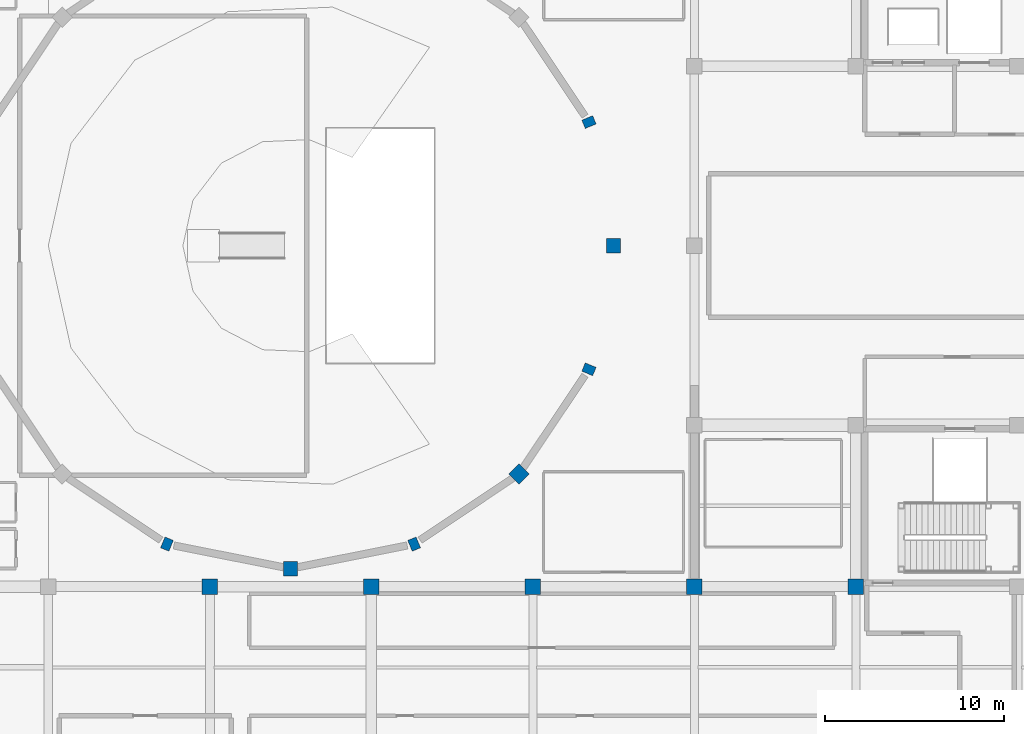
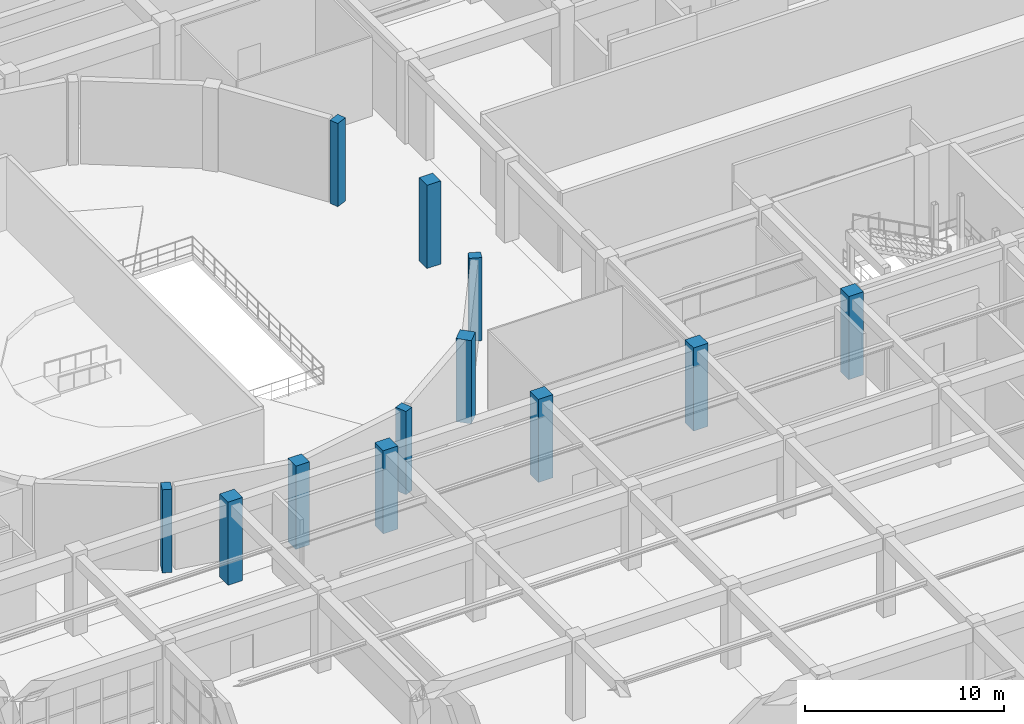
# One storey, part 6 of 128: 12 columns.
"""IFC4 building model written with IfcOpenShell, lengths in metres."""

from ifc_helpers import new_model, si_unit, direction, frame, origin, origin_2d, place, context, subcontext, project, spatial, rectangle, extrude, material, material_profile, profile_set, type_object, element, save


model = new_model("IFC4")

# Units and contexts
model_context = context("Model", 3, precision=1e-05, world=origin(), true_north=direction((0.0, 1.0)))
body_context = subcontext(model_context, "Body", "Model", "MODEL_VIEW")
ifc_project = project(units=[si_unit("LENGTHUNIT", "METRE"), si_unit("AREAUNIT", "SQUARE_METRE"), si_unit("VOLUMEUNIT", "CUBIC_METRE"), si_unit("PLANEANGLEUNIT", "RADIAN"), si_unit("MASSUNIT", "GRAM", prefix="KILO")], contexts=[model_context])

# Site, building, storey
site_placement = place(None, origin())
site = spatial("IfcSite", under=ifc_project, at=site_placement, CompositionType="ELEMENT")
building_placement = place(site_placement, origin())
building = spatial("IfcBuilding", under=site, at=building_placement, Name="Miravela Opera House", CompositionType="ELEMENT")
storey_placement = place(building_placement, origin())
storey = spatial("IfcBuildingStorey", under=building, at=storey_placement, Name="L00", CompositionType="ELEMENT", Elevation=0.0)

# Columns
ifc_material_1 = material(Name="Concrete C40/50", Category="concrete")
ifc_material_profile_1 = material_profile(ifc_material_1, rectangle(XDim=0.85009765625, YDim=0.85009765625, at=origin_2d()), Name="RC-COL-850X850")
ifc_profile_set_1 = profile_set([ifc_material_profile_1])
column_type_1 = type_object("IfcColumnType", Name="STR-COL-RC850", PredefinedType="COLUMN", material=ifc_profile_set_1)
for number, where, z_axis, x_axis, name in (
    (1, (81.0, 37.0, 0.0), (0.0, 0.0, 1.0), (1.0, 0.0, 0.0), "Column C-10E (L00)"),
    (2, (90.0, 37.0, 0.0), (0.0, 0.0, 1.0), (1.0, 0.0, 0.0), "Column C-11E (L00)"),
    (3, (99.0, 37.0, 0.0), (0.0, 0.0, 1.0), (1.0, 0.0, 0.0), "Column C-12E (L00)"),
    (4, (108.0, 37.0, 0.0), (0.0, 0.0, 1.0), (1.0, 0.0, 0.0), "Column C-13E (L00)"),
    (5, (72.0, 37.0, 0.0), (0.0, 0.0, 1.0), (1.0, 0.0, 0.0), "Column C-9E (L00)"),
):
    element("IfcColumn", number, at=place(storey_placement, frame(where, z_axis=z_axis, x_axis=x_axis)), inside=storey, type_object=column_type_1, Name=name, PredefinedType="COLUMN", context=body_context, shape_type="SweptSolid", body=[
        extrude(rectangle(XDim=0.85009765625, YDim=0.85009765625, at=origin_2d()), origin(), (0.0, 0.0, 1.0), 5.10009765625),
    ])
ifc_material_2 = material(Name="Concrete C35/45", Category="concrete")
ifc_material_profile_2 = material_profile(ifc_material_2, rectangle(XDim=0.64990234375, YDim=0.5, at=origin_2d()), Name="RC-PIL-650X500")
ifc_profile_set_2 = profile_set([ifc_material_profile_2])
column_type_2 = type_object("IfcColumnType", Name="STR-PIL-RC650X500", PredefinedType="PILASTER", material=ifc_profile_set_2)
for number, where, z_axis, x_axis, name in (
    (6, (93.1298828125, 62.88818359375, 0.0), (0.0, 0.0, 1.0), (0.923879532511, 0.382683432365, 0.0), "Auditorium Drum Column DC-02 (L00)"),
    (7, (69.61181640625, 39.3701171875, 0.0), (0.0, 0.0, 1.0), (-0.382683432365, -0.923879532511, 0.0), "Auditorium Drum Column DC-12 (L00)"),
    (8, (83.38818359375, 39.3701171875, 0.0), (0.0, 0.0, 1.0), (0.382683432365, -0.923879532511, 0.0), "Auditorium Drum Column DC-14 (L00)"),
    (9, (93.1298828125, 49.11181640625, 0.0), (0.0, 0.0, 1.0), (0.923879532511, -0.382683432365, 0.0), "Auditorium Drum Column DC-16 (L00)"),
):
    element("IfcColumn", number, at=place(storey_placement, frame(where, z_axis=z_axis, x_axis=x_axis)), inside=storey, type_object=column_type_2, Name=name, PredefinedType="PILASTER", context=body_context, shape_type="SweptSolid", body=[
        extrude(rectangle(XDim=0.64990234375, YDim=0.5, at=origin_2d()), origin(), (0.0, 0.0, 1.0), 5.10009765625),
    ])
ifc_material_profile_3 = material_profile(ifc_material_1, rectangle(XDim=0.800048828125, YDim=0.800048828125, at=origin_2d()), Name="RC-COL-800X800")
ifc_profile_set_3 = profile_set([ifc_material_profile_3])
column_type_3 = type_object("IfcColumnType", Name="STR-PIL-RC800", PredefinedType="PILASTER", material=ifc_profile_set_3)
for number, where, z_axis, x_axis, name in (
    (10, (94.5, 56.0, 0.0), (0.0, 0.0, 1.0), (1.0, 0.0, 0.0), "Auditorium Drum Column DC-01 (L00)"),
    (11, (76.5, 38.0, 0.0), (0.0, 0.0, 1.0), (0.0, -1.0, 0.0), "Auditorium Drum Column DC-13 (L00)"),
    (12, (89.227783203125, 43.272216796875, 0.0), (0.0, 0.0, 1.0), (0.707106781187, -0.707106781187, 0.0), "Auditorium Drum Column DC-15 (L00)"),
):
    element("IfcColumn", number, at=place(storey_placement, frame(where, z_axis=z_axis, x_axis=x_axis)), inside=storey, type_object=column_type_3, Name=name, PredefinedType="PILASTER", context=body_context, shape_type="SweptSolid", body=[
        extrude(rectangle(XDim=0.800048828125, YDim=0.800048828125, at=origin_2d()), origin(), (0.0, 0.0, 1.0), 5.10009765625),
    ])

save(model, "model.ifc")
